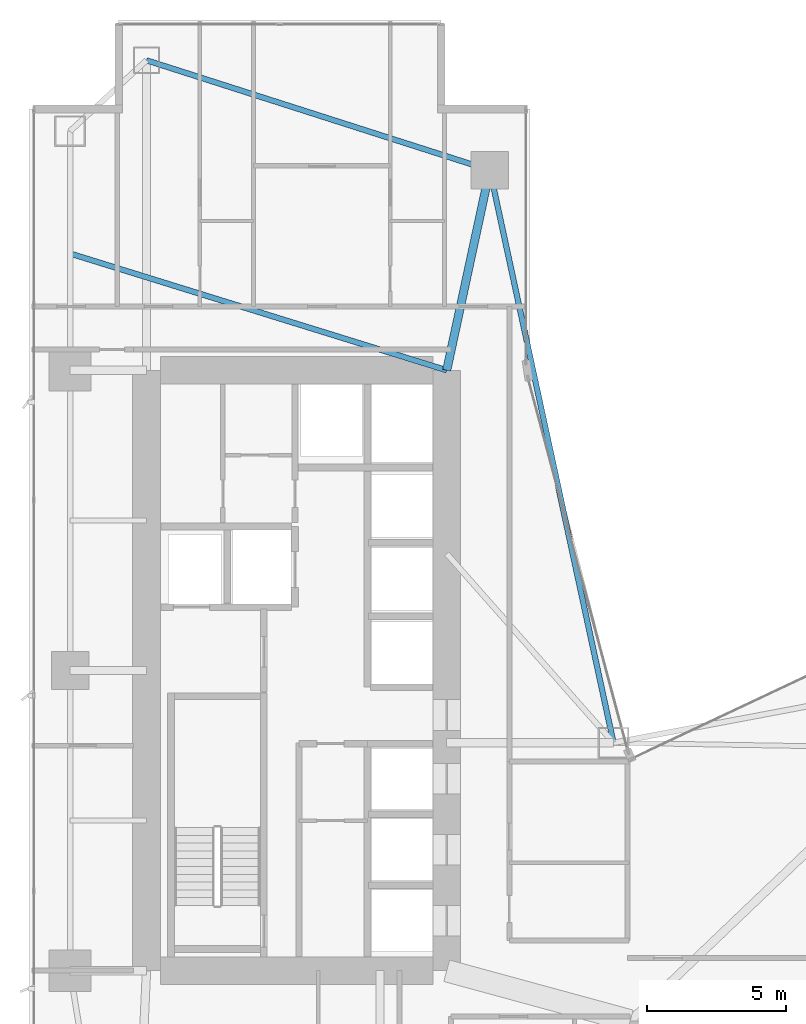
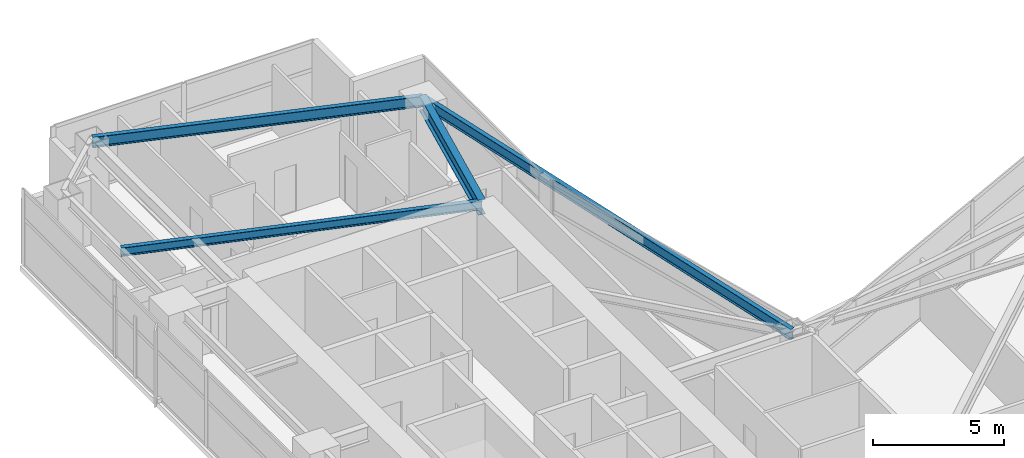
# One storey, part 17 of 30: 4 beams.
"""IFC4 building model written with IfcOpenShell, lengths in metres."""

import ifcopenshell
import ifcopenshell.guid

model = None  # the IFC model being written
_history = None  # IfcOwnerHistory: only IFC2X3 demands one
_inside = {}  # id of a spatial element -> (the spatial element, [elements in it])
_under = {}  # id of a project, library or spatial element -> (it, [spatial elements below it])
_declared = {}  # id of a project -> (the project, [libraries it declares])
_typed = {}  # id of a type object -> (the type object, [elements of that type])
_made_of = {}  # id of a material, layer set ... -> (it, [elements and type objects made of it])


def new_model(schema):
    """Start an empty IFC model of exactly this schema.

    Asked for "IFC4X3", IfcOpenShell would pick the latest addendum, in which some entities
    have other attributes; the version numbers below select the first issue.
    IFC2X3 requires an IfcOwnerHistory on every rooted entity: one is made here for all.
    """
    global model, _history
    if schema == "IFC4X3":
        model = ifcopenshell.file(schema_version=(4, 3, 0, 0))
    else:
        model = ifcopenshell.file(schema=schema)
    _inside.clear()
    _under.clear()
    _declared.clear()
    _typed.clear()
    _made_of.clear()
    _history = None
    if model.schema == "IFC2X3":
        org = make("IfcOrganization", Name="unknown")
        user = make(
            "IfcPersonAndOrganization",
            ThePerson=make("IfcPerson", FamilyName="unknown"),
            TheOrganization=org,
        )
        app = make(
            "IfcApplication",
            ApplicationDeveloper=org,
            Version="unknown",
            ApplicationFullName="unknown",
            ApplicationIdentifier="unknown",
        )
        _history = make(
            "IfcOwnerHistory",
            OwningUser=user,
            OwningApplication=app,
            ChangeAction="ADDED",
            CreationDate=0,
        )
    return model


def make(cls, **values):
    """One entity of the class cls with the attributes given. An attribute that is None is left unset."""
    return model.create_entity(
        cls, **{name: value for name, value in values.items() if value is not None}
    )


def rooted(cls, **values):
    """An entity with a GlobalId (a new one), such as an element, a storey or a relation."""
    return make(cls, GlobalId=ifcopenshell.guid.new(), OwnerHistory=_history, **values)


def si_unit(unit_type, name, prefix=None):
    """IfcSIUnit, for example si_unit("LENGTHUNIT", "METRE", prefix="MILLI")."""
    return make("IfcSIUnit", UnitType=unit_type, Prefix=prefix, Name=name)


def assignment(units):
    """IfcUnitAssignment: the units of a project."""
    return None if units is None else make("IfcUnitAssignment", Units=units)


def point(xyz):
    """IfcCartesianPoint."""
    return None if xyz is None else make("IfcCartesianPoint", Coordinates=xyz)


def direction(xyz):
    """IfcDirection."""
    return None if xyz is None else make("IfcDirection", DirectionRatios=xyz)


def frame(location, z_axis=None, x_axis=None):
    """IfcAxis2Placement3D, a coordinate frame: its origin and axes. An axis left out is left unset."""
    return make(
        "IfcAxis2Placement3D",
        Location=point(location),
        Axis=direction(z_axis),
        RefDirection=direction(x_axis),
    )


def frame_2d(location, x_axis=None):
    """IfcAxis2Placement2D, a coordinate frame in the plane: its origin and x axis."""
    return make(
        "IfcAxis2Placement2D", Location=point(location), RefDirection=direction(x_axis)
    )


def origin():
    """The frame at (0, 0, 0) with its axes left unset."""
    return frame((0.0, 0.0, 0.0))


def origin_2d():
    """The frame at (0, 0) in the plane with its x axis left unset."""
    return frame_2d((0.0, 0.0))


def place(relative_to, where):
    """IfcLocalPlacement: puts the frame where relative to a parent placement (None: the world)."""
    return make(
        "IfcLocalPlacement", PlacementRelTo=relative_to, RelativePlacement=where
    )


def context(
    kind, dimensions, precision=None, world=None, true_north=None, identifier=None
):
    """IfcGeometricRepresentationContext, for example the 3D "Model" context."""
    return make(
        "IfcGeometricRepresentationContext",
        ContextIdentifier=identifier,
        ContextType=kind,
        CoordinateSpaceDimension=dimensions,
        Precision=precision,
        WorldCoordinateSystem=world,
        TrueNorth=true_north,
    )


def subcontext(parent, identifier, kind, view, scale=None):
    """IfcGeometricRepresentationSubContext, for example "Body" below "Model"."""
    return make(
        "IfcGeometricRepresentationSubContext",
        ContextIdentifier=identifier,
        ContextType=kind,
        ParentContext=parent,
        TargetScale=scale,
        TargetView=view,
    )


def project(units=None, contexts=None):
    """IfcProject with its units and contexts."""
    return rooted(
        "IfcProject",
        Name="project",
        RepresentationContexts=contexts,
        UnitsInContext=assignment(units),
    )


def spatial(cls, under=None, at=None, **own):
    """A site, building, storey or space (cls), placed at a placement, below another one or the project."""
    s = rooted(cls, ObjectPlacement=at, **own)
    if under is not None:
        _under.setdefault(under.id(), (under, []))[1].append(s)
    return s


def profile(cls, at=None, kind="AREA", **sizes):
    """A parametric profile (cls). Its sizes go by their IFC names, for example OverallWidth=200.0."""
    return make(cls, ProfileType=kind, Position=at, **sizes)


def i_section(**sizes):
    """IfcIShapeProfileDef."""
    return profile("IfcIShapeProfileDef", **sizes)


def extrude(swept, where, along, depth):
    """IfcExtrudedAreaSolid: the profile swept, set in the frame where, extruded along a direction by depth."""
    return make(
        "IfcExtrudedAreaSolid",
        SweptArea=swept,
        Position=where,
        ExtrudedDirection=direction(along),
        Depth=depth,
    )


def shape(context_of_items, identifier, shape_type, items):
    """IfcShapeRepresentation: the items that make up one representation, for example the "Body"."""
    return make(
        "IfcShapeRepresentation",
        ContextOfItems=context_of_items,
        RepresentationIdentifier=identifier,
        RepresentationType=shape_type,
        Items=items,
    )


def material(Name=None, Category=None):
    """IfcMaterial."""
    return make("IfcMaterial", Name=Name, Category=Category)


def material_profile(
    of_material, cross_section, Name=None, Category=None, Priority=None
):
    """IfcMaterialProfile: a cross section and its material."""
    return make(
        "IfcMaterialProfile",
        Name=Name,
        Material=of_material,
        Profile=cross_section,
        Priority=Priority,
        Category=Category,
    )


def profile_set(profiles, Name=None, composite=None):
    """IfcMaterialProfileSet."""
    return make(
        "IfcMaterialProfileSet",
        Name=Name,
        MaterialProfiles=profiles,
        CompositeProfile=composite,
    )


def made_of(thing, what):
    """Note that an element or type object is made of a material, layer set ...; save() writes the relation."""
    if what is not None:
        _made_of.setdefault(what.id(), (what, []))[1].append(thing)
    return thing


def type_object(cls, material=None, **own):
    """A type object (cls), such as IfcWallType, which elements share."""
    return made_of(rooted(cls, **own), material)


def element(
    cls,
    number,
    at=None,
    inside=None,
    cuts=None,
    type_object=None,
    material=None,
    context=None,
    identifier="Body",
    shape_type=None,
    held_by="IfcProductDefinitionShape",
    body=None,
    shapes=None,
    **own,
):
    """One element of the class cls, such as IfcWall. Its Tag is "e" and its number.

    at: its placement. inside: the storey or other place that contains it. cuts: it is an
    opening in that element (IfcRelVoidsElement). A single representation is given by context,
    identifier, shape_type and body (its items); several are given by shapes. held_by: the class
    of the entity that holds the representations. save() writes the other relations.
    """
    e = rooted(cls, Tag="e%d" % number, ObjectPlacement=at, **own)
    if body is not None:
        shapes = [shape(context, identifier, shape_type, body)]
    if shapes is not None:
        e.Representation = make(held_by, Representations=shapes)
    if inside is not None:
        _inside.setdefault(inside.id(), (inside, []))[1].append(e)
    if cuts is not None:
        rooted(
            "IfcRelVoidsElement", RelatingBuildingElement=cuts, RelatedOpeningElement=e
        )
    if type_object is not None:
        _typed.setdefault(type_object.id(), (type_object, []))[1].append(e)
    return made_of(e, material)


def aggregate(whole, parts):
    """IfcRelAggregates: a whole, such as a stair, and the parts it consists of."""
    return rooted("IfcRelAggregates", RelatingObject=whole, RelatedObjects=parts)


def save(model, path):
    """Write the relations noted so far, then the file.

    IfcRelAggregates (storeys below a building ...), IfcRelContainedInSpatialStructure (elements
    in a storey), IfcRelDefinesByType, IfcRelAssociatesMaterial and IfcRelDeclares: one each for
    every whole, place, type object, material and project.
    """
    for whole, parts in _under.values():
        aggregate(whole, parts)
    for where, things in _inside.values():
        rooted(
            "IfcRelContainedInSpatialStructure",
            RelatedElements=things,
            RelatingStructure=where,
        )
    for kind, things in _typed.values():
        rooted("IfcRelDefinesByType", RelatedObjects=things, RelatingType=kind)
    for what, things in _made_of.values():
        rooted("IfcRelAssociatesMaterial", RelatedObjects=things, RelatingMaterial=what)
    for by, libraries in _declared.values():
        rooted("IfcRelDeclares", RelatingContext=by, RelatedDefinitions=libraries)
    model.write(path)


model = new_model("IFC4")

# Units and contexts
model_context = context("Model", 3, precision=1e-05, world=origin(), true_north=direction((0.0, 1.0)))
body_context = subcontext(model_context, "Body", "Model", "MODEL_VIEW")
ifc_project = project(units=[si_unit("LENGTHUNIT", "METRE"), si_unit("AREAUNIT", "SQUARE_METRE"), si_unit("VOLUMEUNIT", "CUBIC_METRE"), si_unit("PLANEANGLEUNIT", "RADIAN"), si_unit("MASSUNIT", "GRAM", prefix="KILO")], contexts=[model_context])

# Site, building, storey
site_placement = place(None, origin())
site = spatial("IfcSite", under=ifc_project, at=site_placement, CompositionType="ELEMENT")
building_placement = place(site_placement, origin())
building = spatial("IfcBuilding", under=site, at=building_placement, Name="Calvorn Quay Hotel", CompositionType="ELEMENT")
storey_placement = place(building_placement, frame((0.0, 0.0, 73.60009765625)))
storey = spatial("IfcBuildingStorey", under=building, at=storey_placement, Name="L17", CompositionType="ELEMENT", Elevation=73.60009765625)

# Beams
ifc_material_1 = material(Name="Steel Q390GJC", Category="steel")
ifc_material_profile_1 = material_profile(ifc_material_1, i_section(OverallWidth=0.300048828125, OverallDepth=0.699951171875, WebThickness=0.012939453125, FlangeThickness=0.02392578125, FilletRadius=0.02392578125, at=origin_2d()), Name="HN700x300x13x24")
ifc_profile_set_1 = profile_set([ifc_material_profile_1], Name="Steel Q390GJC")
beam_type_1 = type_object("IfcBeamType", Name="BM-GIRD-MAIN", PredefinedType="BEAM", material=ifc_profile_set_1)
beam_1_placement = place(storey_placement, frame((16.550048828125, 45.60009765625, 3.18994140625), z_axis=(-0.210457140491, -0.97760308511, 0.0), x_axis=(0.97760308511, -0.210457140491, 0.0)))
element("IfcBeam", 1, at=beam_1_placement, inside=storey, type_object=beam_type_1, Name="Beam BG-L17-W6", PredefinedType="BEAM", context=body_context, shape_type="SweptSolid", body=[
    extrude(i_section(OverallWidth=0.300048828125, OverallDepth=0.699951171875, WebThickness=0.012939453125, FlangeThickness=0.02392578125, FilletRadius=0.02392578125, at=origin_2d()), origin(), (0.0, 0.0, 1.0), 7.365234375),
])
ifc_material_2 = material(Name="Steel Q355B", Category="steel")
ifc_material_profile_2 = material_profile(ifc_material_2, i_section(OverallWidth=0.199951171875, OverallDepth=0.39990234375, WebThickness=0.008056640625, FlangeThickness=0.012939453125, FilletRadius=0.01611328125, at=origin_2d()), Name="HN400x200x8x13")
ifc_profile_set_2 = profile_set([ifc_material_profile_2], Name="Steel Q355B")
beam_type_2 = type_object("IfcBeamType", Name="BM-JOIST-TYP", PredefinedType="JOIST", material=ifc_profile_set_2)
beam_2_placement = place(storey_placement, frame((1.449951171875, 42.60009765625, 3.33984375), z_axis=(0.955163702122, -0.296078202759, 0.0), x_axis=(0.296078202759, 0.955163702122, 0.0)))
element("IfcBeam", 2, at=beam_2_placement, inside=storey, type_object=beam_type_2, Name="Beam BJ-L17-W2", PredefinedType="JOIST", context=body_context, shape_type="SweptSolid", body=[
    extrude(i_section(OverallWidth=0.199951171875, OverallDepth=0.39990234375, WebThickness=0.008056640625, FlangeThickness=0.012939453125, FilletRadius=0.01611328125, at=origin_2d()), origin(), (0.0, 0.0, 1.0), 14.18603515625),
])
ifc_material_3 = material(Name="Steel Q355B", Category="steel")
ifc_material_profile_3 = material_profile(ifc_material_3, i_section(OverallWidth=0.199951171875, OverallDepth=0.5, WebThickness=0.010009765625, FlangeThickness=0.01611328125, FilletRadius=0.01611328125, at=origin_2d()), Name="HN500x200x10x16")
ifc_profile_set_3 = profile_set([ifc_material_profile_3], Name="Steel Q355B")
beam_type_3 = type_object("IfcBeamType", Name="BM-SPANDREL-Z1", PredefinedType="SPANDREL", material=ifc_profile_set_3)
beam_3_placement = place(storey_placement, frame((4.199951171875, 49.550048828125, 3.289794921875), z_axis=(0.952470702374, -0.304630203885, 0.0), x_axis=(0.304630203885, 0.952470702374, 0.0)))
element("IfcBeam", 3, at=beam_3_placement, inside=storey, type_object=beam_type_3, Name="Beam BSP-L17-W6", PredefinedType="SPANDREL", context=body_context, shape_type="SweptSolid", body=[
    extrude(i_section(OverallWidth=0.199951171875, OverallDepth=0.5, WebThickness=0.010009765625, FlangeThickness=0.01611328125, FilletRadius=0.01611328125, at=origin_2d()), origin(), (0.0, 0.0, 1.0), 12.96630859375),
])
beam_4_placement = place(storey_placement, frame((16.550048828125, 45.60009765625, 3.289794921875), z_axis=(0.211145848376, -0.977454567084, 0.0), x_axis=(0.977454567084, 0.211145848376, 0.0)))
element("IfcBeam", 4, at=beam_4_placement, inside=storey, type_object=beam_type_3, Name="Beam BSP-L17-W7", PredefinedType="SPANDREL", context=body_context, shape_type="SweptSolid", body=[
    extrude(i_section(OverallWidth=0.199951171875, OverallDepth=0.5, WebThickness=0.010009765625, FlangeThickness=0.01611328125, FilletRadius=0.01611328125, at=origin_2d()), origin(), (0.0, 0.0, 1.0), 21.0751953125),
])

save(model, "model.ifc")
